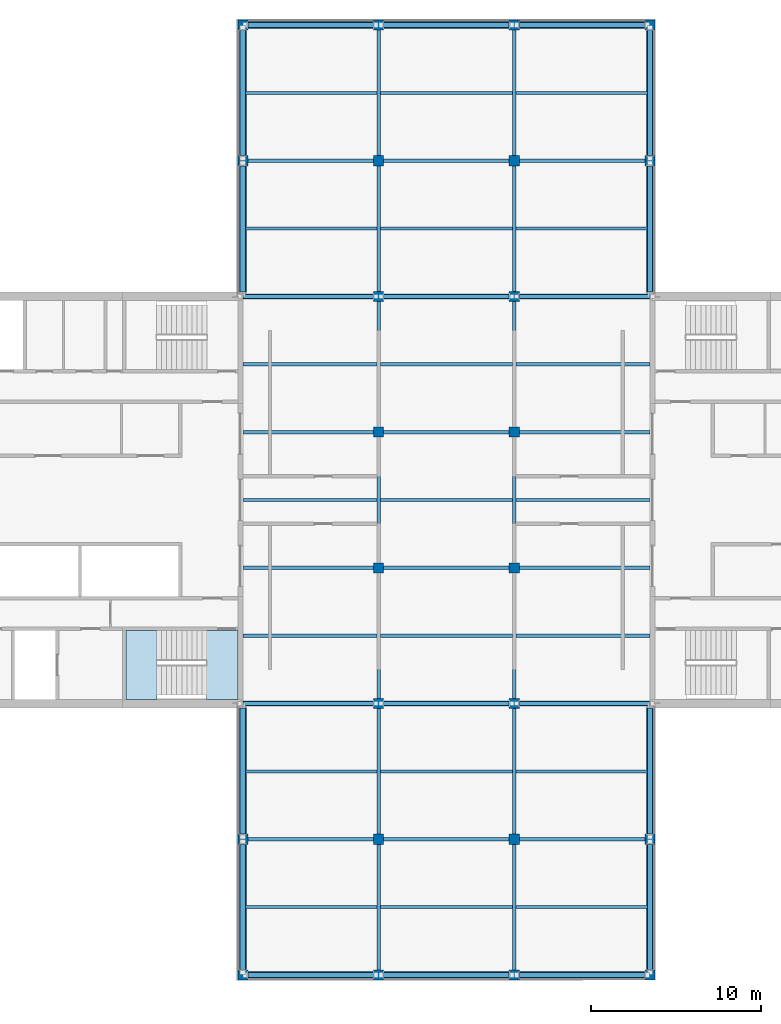
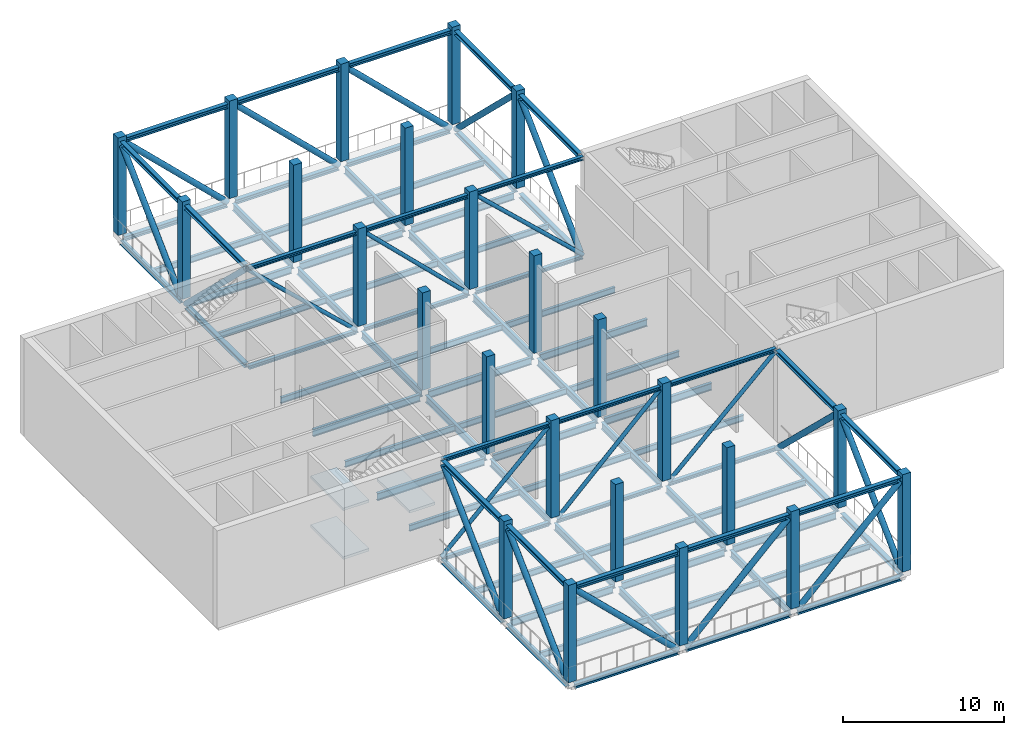
# One storey, part 1 of 9: 60 members, 47 beams, 24 columns, 3 slabs, 1 element without a shape of its own.
"""IFC4 building model written with IfcOpenShell, lengths in metres."""

from ifc_helpers import new_model, si_unit, direction, frame, origin, origin_2d, place, context, subcontext, project, spatial, polyline, rectangle, hollow_circle, i_section, outline, extrude, material, layer, layer_set, material_profile, profile_set, type_object, element, aggregate, save


model = new_model("IFC4")

# Units and contexts
model_context = context("Model", 3, precision=1e-05, world=origin(), true_north=direction((0.0, 1.0)))
body_context = subcontext(model_context, "Body", "Model", "MODEL_VIEW")
ifc_project = project(units=[si_unit("LENGTHUNIT", "METRE"), si_unit("AREAUNIT", "SQUARE_METRE"), si_unit("VOLUMEUNIT", "CUBIC_METRE"), si_unit("PLANEANGLEUNIT", "RADIAN"), si_unit("MASSUNIT", "GRAM", prefix="KILO")], contexts=[model_context])

# Site, building, storey
site_placement = place(None, origin())
site = spatial("IfcSite", under=ifc_project, at=site_placement, CompositionType="ELEMENT")
building_placement = place(site_placement, origin())
building = spatial("IfcBuilding", under=site, at=building_placement, Name="Crosswind Convention Tower", CompositionType="ELEMENT")
storey_placement = place(building_placement, frame((0.0, 0.0, 303.89990234375)))
storey = spatial("IfcBuildingStorey", under=building, at=storey_placement, Name="L66", CompositionType="ELEMENT", Elevation=303.89990234375)

# Columns
ifc_material_1 = material(Name="Concrete C60/75", Category="concrete")
ifc_material_profile_1 = material_profile(ifc_material_1, rectangle(XDim=0.60009765625, YDim=0.60009765625, at=origin_2d()), Name="RC 600X600")
ifc_profile_set_1 = profile_set([ifc_material_profile_1], Name="Concrete C60/75")
column_type = type_object("IfcColumnType", Name="Column RC 600X600", PredefinedType="COLUMN", material=ifc_profile_set_1)
for number, where, z_axis, x_axis, name in (
    (1, (113.0, 72.0, 0.0), (0.0, 0.0, 1.0), (1.0, 0.0, 0.0), "C16 L66 5/C"),
    (2, (113.0, 80.0, 0.0), (0.0, 0.0, 1.0), (1.0, 0.0, 0.0), "C16 L66 5/D"),
    (3, (113.0, 120.0, 0.0), (0.0, 0.0, 1.0), (1.0, 0.0, 0.0), "C16 L66 5/I"),
    (4, (113.0, 128.0, 0.0), (0.0, 0.0, 1.0), (1.0, 0.0, 0.0), "C16 L66 5/J"),
    (5, (121.0, 72.0, 0.0), (0.0, 0.0, 1.0), (1.0, 0.0, 0.0), "C16 L66 6/C"),
    (6, (121.0, 80.0, 0.0), (0.0, 0.0, 1.0), (1.0, 0.0, 0.0), "C16 L66 6/D"),
    (7, (121.0, 88.0, 0.0), (0.0, 0.0, 1.0), (1.0, 0.0, 0.0), "C16 L66 6/E"),
    (8, (121.0, 96.0, 0.0), (0.0, 0.0, 1.0), (1.0, 0.0, 0.0), "C16 L66 6/F"),
    (9, (121.0, 104.0, 0.0), (0.0, 0.0, 1.0), (1.0, 0.0, 0.0), "C16 L66 6/G"),
    (10, (121.0, 112.0, 0.0), (0.0, 0.0, 1.0), (1.0, 0.0, 0.0), "C16 L66 6/H"),
    (11, (121.0, 120.0, 0.0), (0.0, 0.0, 1.0), (1.0, 0.0, 0.0), "C16 L66 6/I"),
    (12, (121.0, 128.0, 0.0), (0.0, 0.0, 1.0), (1.0, 0.0, 0.0), "C16 L66 6/J"),
    (13, (129.0, 72.0, 0.0), (0.0, 0.0, 1.0), (1.0, 0.0, 0.0), "C16 L66 7/C"),
    (14, (129.0, 80.0, 0.0), (0.0, 0.0, 1.0), (1.0, 0.0, 0.0), "C16 L66 7/D"),
    (15, (129.0, 88.0, 0.0), (0.0, 0.0, 1.0), (1.0, 0.0, 0.0), "C16 L66 7/E"),
    (16, (129.0, 96.0, 0.0), (0.0, 0.0, 1.0), (1.0, 0.0, 0.0), "C16 L66 7/F"),
    (17, (129.0, 104.0, 0.0), (0.0, 0.0, 1.0), (1.0, 0.0, 0.0), "C16 L66 7/G"),
    (18, (129.0, 112.0, 0.0), (0.0, 0.0, 1.0), (1.0, 0.0, 0.0), "C16 L66 7/H"),
    (19, (129.0, 120.0, 0.0), (0.0, 0.0, 1.0), (1.0, 0.0, 0.0), "C16 L66 7/I"),
    (20, (129.0, 128.0, 0.0), (0.0, 0.0, 1.0), (1.0, 0.0, 0.0), "C16 L66 7/J"),
    (21, (137.0, 72.0, 0.0), (0.0, 0.0, 1.0), (1.0, 0.0, 0.0), "C16 L66 8/C"),
    (22, (137.0, 80.0, 0.0), (0.0, 0.0, 1.0), (1.0, 0.0, 0.0), "C16 L66 8/D"),
    (23, (137.0, 120.0, 0.0), (0.0, 0.0, 1.0), (1.0, 0.0, 0.0), "C16 L66 8/I"),
    (24, (137.0, 128.0, 0.0), (0.0, 0.0, 1.0), (1.0, 0.0, 0.0), "C16 L66 8/J"),
):
    element("IfcColumn", number, at=place(storey_placement, frame(where, z_axis=z_axis, x_axis=x_axis)), inside=storey, type_object=column_type, Name=name, PredefinedType="COLUMN", context=body_context, shape_type="SweptSolid", body=[
        extrude(rectangle(XDim=0.60009765625, YDim=0.60009765625, at=origin_2d()), origin(), (0.0, 0.0, 1.0), 7.400146484375),
    ])

# Beams
ifc_material_2 = material(Name="Steel S355", Category="steel")
ifc_material_profile_2 = material_profile(ifc_material_2, i_section(OverallWidth=0.210693359375, OverallDepth=0.53955078125, WebThickness=0.01171875, FlangeThickness=0.018798828125, FilletRadius=0.0126953125, at=origin_2d()), Name="UB 533x210x109")
ifc_profile_set_2 = profile_set([ifc_material_profile_2], Name="Steel S355")
beam_type_1 = type_object("IfcBeamType", Name="Girder UB 533x210x109", PredefinedType="BEAM", material=ifc_profile_set_2)
for number, where, z_axis, x_axis, name in (
    (25, (113.300048828125, 80.0, -0.669677734375), (1.0, 0.0, 0.0), (0.0, 1.0, 0.0), "B5 L66 girder 1"),
    (26, (113.300048828125, 120.0, -0.669677734375), (1.0, 0.0, 0.0), (0.0, 1.0, 0.0), "B5 L66 girder 2"),
    (27, (121.0, 72.300048828125, -0.669677734375), (0.0, 1.0, 0.0), (-1.0, 0.0, 0.0), "B5 L66 girder 3"),
    (28, (121.0, 80.300048828125, -0.669677734375), (0.0, 1.0, 0.0), (-1.0, 0.0, 0.0), "B5 L66 girder 4"),
    (29, (121.0, 88.300048828125, -0.669677734375), (0.0, 1.0, 0.0), (-1.0, 0.0, 0.0), "B5 L66 girder 5"),
    (30, (121.0, 96.300048828125, -0.669677734375), (0.0, 1.0, 0.0), (-1.0, 0.0, 0.0), "B5 L66 girder 6"),
    (31, (121.0, 104.300048828125, -0.669677734375), (0.0, 1.0, 0.0), (-1.0, 0.0, 0.0), "B5 L66 girder 7"),
    (32, (121.0, 112.300048828125, -0.669677734375), (0.0, 1.0, 0.0), (-1.0, 0.0, 0.0), "B5 L66 girder 8"),
    (33, (121.0, 120.300048828125, -0.669677734375), (0.0, 1.0, 0.0), (-1.0, 0.0, 0.0), "B5 L66 girder 9"),
    (34, (121.300048828125, 80.0, -0.669677734375), (1.0, 0.0, 0.0), (0.0, 1.0, 0.0), "B5 L66 girder 10"),
    (35, (121.300048828125, 96.0, -0.669677734375), (1.0, 0.0, 0.0), (0.0, 1.0, 0.0), "B5 L66 girder 11"),
    (36, (121.300048828125, 104.0, -0.669677734375), (1.0, 0.0, 0.0), (0.0, 1.0, 0.0), "B5 L66 girder 12"),
    (37, (121.300048828125, 120.0, -0.669677734375), (1.0, 0.0, 0.0), (0.0, 1.0, 0.0), "B5 L66 girder 13"),
    (38, (129.0, 72.300048828125, -0.669677734375), (0.0, 1.0, 0.0), (-1.0, 0.0, 0.0), "B5 L66 girder 14"),
    (39, (129.0, 80.300048828125, -0.669677734375), (0.0, 1.0, 0.0), (-1.0, 0.0, 0.0), "B5 L66 girder 15"),
    (40, (129.0, 88.300048828125, -0.669677734375), (0.0, 1.0, 0.0), (-1.0, 0.0, 0.0), "B5 L66 girder 16"),
    (41, (129.0, 96.300048828125, -0.669677734375), (0.0, 1.0, 0.0), (-1.0, 0.0, 0.0), "B5 L66 girder 17"),
    (42, (129.0, 104.300048828125, -0.669677734375), (0.0, 1.0, 0.0), (-1.0, 0.0, 0.0), "B5 L66 girder 18"),
    (43, (129.0, 112.300048828125, -0.669677734375), (0.0, 1.0, 0.0), (-1.0, 0.0, 0.0), "B5 L66 girder 19"),
    (44, (129.0, 120.300048828125, -0.669677734375), (0.0, 1.0, 0.0), (-1.0, 0.0, 0.0), "B5 L66 girder 20"),
    (45, (129.300048828125, 80.0, -0.669677734375), (1.0, 0.0, 0.0), (0.0, 1.0, 0.0), "B5 L66 girder 21"),
    (46, (129.300048828125, 120.0, -0.669677734375), (1.0, 0.0, 0.0), (0.0, 1.0, 0.0), "B5 L66 girder 22"),
):
    element("IfcBeam", number, at=place(storey_placement, frame(where, z_axis=z_axis, x_axis=x_axis)), inside=storey, type_object=beam_type_1, Name=name, PredefinedType="BEAM", context=body_context, shape_type="SweptSolid", body=[
        extrude(i_section(OverallWidth=0.210693359375, OverallDepth=0.53955078125, WebThickness=0.01171875, FlangeThickness=0.018798828125, FilletRadius=0.0126953125, at=origin_2d()), origin(), (0.0, 0.0, 1.0), 7.39990234375),
    ])
ifc_material_profile_3 = material_profile(ifc_material_2, i_section(OverallWidth=0.2119140625, OverallDepth=0.544677734375, WebThickness=0.0126953125, FlangeThickness=0.021240234375, FilletRadius=0.0126953125, at=origin_2d()), Name="UB 533x210x122")
ifc_profile_set_3 = profile_set([ifc_material_profile_3], Name="Steel S355")
beam_type_2 = type_object("IfcBeamType", Name="Girder at core wall UB 533x210x122", PredefinedType="BEAM", material=ifc_profile_set_3)
for number, where, z_axis, x_axis, name in (
    (47, (113.0, 96.0, -0.672119140625), (1.0, 0.0, 0.0), (0.0, 1.0, 0.0), "B26 L66 girder at core wall 1"),
    (48, (113.0, 104.0, -0.672119140625), (1.0, 0.0, 0.0), (0.0, 1.0, 0.0), "B26 L66 girder at core wall 2"),
    (49, (129.300048828125, 96.0, -0.672119140625), (1.0, 0.0, 0.0), (0.0, 1.0, 0.0), "B26 L66 girder at core wall 3"),
    (50, (129.300048828125, 104.0, -0.672119140625), (1.0, 0.0, 0.0), (0.0, 1.0, 0.0), "B26 L66 girder at core wall 4"),
):
    element("IfcBeam", number, at=place(storey_placement, frame(where, z_axis=z_axis, x_axis=x_axis)), inside=storey, type_object=beam_type_2, Name=name, PredefinedType="BEAM", context=body_context, shape_type="SweptSolid", body=[
        extrude(i_section(OverallWidth=0.2119140625, OverallDepth=0.544677734375, WebThickness=0.0126953125, FlangeThickness=0.021240234375, FilletRadius=0.0126953125, at=origin_2d()), origin(), (0.0, 0.0, 1.0), 7.699951171875),
    ])
ifc_material_profile_4 = material_profile(ifc_material_2, i_section(OverallWidth=0.1904296875, OverallDepth=0.457275390625, WebThickness=0.009033203125, FlangeThickness=0.014404296875, FilletRadius=0.01025390625, at=origin_2d()), Name="UB 457x191x75")
ifc_profile_set_4 = profile_set([ifc_material_profile_4], Name="Steel S355")
beam_type_3 = type_object("IfcBeamType", Name="Secondary beam UB 457x191x75", PredefinedType="JOIST", material=ifc_profile_set_4)
for number, where, z_axis, x_axis, name in (
    (51, (113.0, 92.0, -0.62841796875), (1.0, 0.0, 0.0), (0.0, 1.0, 0.0), "B12 L66 secondary beam 1"),
    (52, (113.0, 100.0, -0.62841796875), (1.0, 0.0, 0.0), (0.0, 1.0, 0.0), "B12 L66 secondary beam 2"),
    (53, (113.0, 108.0, -0.62841796875), (1.0, 0.0, 0.0), (0.0, 1.0, 0.0), "B12 L66 secondary beam 3"),
):
    element("IfcBeam", number, at=place(storey_placement, frame(where, z_axis=z_axis, x_axis=x_axis)), inside=storey, type_object=beam_type_3, Name=name, PredefinedType="JOIST", context=body_context, shape_type="SweptSolid", body=[
        extrude(i_section(OverallWidth=0.1904296875, OverallDepth=0.457275390625, WebThickness=0.009033203125, FlangeThickness=0.014404296875, FilletRadius=0.01025390625, at=origin_2d()), origin(), (0.0, 0.0, 1.0), 7.89453125),
    ])
for number, where, z_axis, x_axis, name in (
    (54, (113.1552734375, 76.0, -0.62841796875), (1.0, 0.0, 0.0), (0.0, 1.0, 0.0), "B12 L66 secondary beam 4"),
    (55, (113.1552734375, 84.0, -0.62841796875), (1.0, 0.0, 0.0), (0.0, 1.0, 0.0), "B12 L66 secondary beam 5"),
    (56, (113.1552734375, 116.0, -0.62841796875), (1.0, 0.0, 0.0), (0.0, 1.0, 0.0), "B12 L66 secondary beam 6"),
    (57, (113.1552734375, 124.0, -0.62841796875), (1.0, 0.0, 0.0), (0.0, 1.0, 0.0), "B12 L66 secondary beam 7"),
):
    element("IfcBeam", number, at=place(storey_placement, frame(where, z_axis=z_axis, x_axis=x_axis)), inside=storey, type_object=beam_type_3, Name=name, PredefinedType="JOIST", context=body_context, shape_type="SweptSolid", body=[
        extrude(i_section(OverallWidth=0.1904296875, OverallDepth=0.457275390625, WebThickness=0.009033203125, FlangeThickness=0.014404296875, FilletRadius=0.01025390625, at=origin_2d()), origin(), (0.0, 0.0, 1.0), 7.7392578125),
    ])
for number, where, z_axis, x_axis, name in (
    (58, (121.10546875, 76.0, -0.62841796875), (1.0, 0.0, 0.0), (0.0, 1.0, 0.0), "B12 L66 secondary beam 8"),
    (59, (121.10546875, 84.0, -0.62841796875), (1.0, 0.0, 0.0), (0.0, 1.0, 0.0), "B12 L66 secondary beam 9"),
    (60, (121.10546875, 92.0, -0.62841796875), (1.0, 0.0, 0.0), (0.0, 1.0, 0.0), "B12 L66 secondary beam 10"),
    (61, (121.10546875, 100.0, -0.62841796875), (1.0, 0.0, 0.0), (0.0, 1.0, 0.0), "B12 L66 secondary beam 11"),
    (62, (121.10546875, 108.0, -0.62841796875), (1.0, 0.0, 0.0), (0.0, 1.0, 0.0), "B12 L66 secondary beam 12"),
    (63, (121.10546875, 116.0, -0.62841796875), (1.0, 0.0, 0.0), (0.0, 1.0, 0.0), "B12 L66 secondary beam 13"),
    (64, (121.10546875, 124.0, -0.62841796875), (1.0, 0.0, 0.0), (0.0, 1.0, 0.0), "B12 L66 secondary beam 14"),
):
    element("IfcBeam", number, at=place(storey_placement, frame(where, z_axis=z_axis, x_axis=x_axis)), inside=storey, type_object=beam_type_3, Name=name, PredefinedType="JOIST", context=body_context, shape_type="SweptSolid", body=[
        extrude(i_section(OverallWidth=0.1904296875, OverallDepth=0.457275390625, WebThickness=0.009033203125, FlangeThickness=0.014404296875, FilletRadius=0.01025390625, at=origin_2d()), origin(), (0.0, 0.0, 1.0), 7.7890625),
    ])
for number, where, z_axis, x_axis, name in (
    (65, (129.10546875, 76.0, -0.62841796875), (1.0, 0.0, 0.0), (0.0, 1.0, 0.0), "B12 L66 secondary beam 15"),
    (66, (129.10546875, 84.0, -0.62841796875), (1.0, 0.0, 0.0), (0.0, 1.0, 0.0), "B12 L66 secondary beam 16"),
):
    element("IfcBeam", number, at=place(storey_placement, frame(where, z_axis=z_axis, x_axis=x_axis)), inside=storey, type_object=beam_type_3, Name=name, PredefinedType="JOIST", context=body_context, shape_type="SweptSolid", body=[
        extrude(i_section(OverallWidth=0.1904296875, OverallDepth=0.457275390625, WebThickness=0.009033203125, FlangeThickness=0.014404296875, FilletRadius=0.01025390625, at=origin_2d()), origin(), (0.0, 0.0, 1.0), 7.7392578125),
    ])
for number, where, z_axis, x_axis, name in (
    (67, (129.10546875, 92.0, -0.62841796875), (1.0, 0.0, 0.0), (0.0, 1.0, 0.0), "B12 L66 secondary beam 17"),
    (68, (129.10546875, 100.0, -0.62841796875), (1.0, 0.0, 0.0), (0.0, 1.0, 0.0), "B12 L66 secondary beam 18"),
    (69, (129.10546875, 108.0, -0.62841796875), (1.0, 0.0, 0.0), (0.0, 1.0, 0.0), "B12 L66 secondary beam 19"),
):
    element("IfcBeam", number, at=place(storey_placement, frame(where, z_axis=z_axis, x_axis=x_axis)), inside=storey, type_object=beam_type_3, Name=name, PredefinedType="JOIST", context=body_context, shape_type="SweptSolid", body=[
        extrude(i_section(OverallWidth=0.1904296875, OverallDepth=0.457275390625, WebThickness=0.009033203125, FlangeThickness=0.014404296875, FilletRadius=0.01025390625, at=origin_2d()), origin(), (0.0, 0.0, 1.0), 7.89453125),
    ])
for number, where, z_axis, x_axis, name in (
    (70, (129.10546875, 116.0, -0.62841796875), (1.0, 0.0, 0.0), (0.0, 1.0, 0.0), "B12 L66 secondary beam 20"),
    (71, (129.10546875, 124.0, -0.62841796875), (1.0, 0.0, 0.0), (0.0, 1.0, 0.0), "B12 L66 secondary beam 21"),
):
    element("IfcBeam", number, at=place(storey_placement, frame(where, z_axis=z_axis, x_axis=x_axis)), inside=storey, type_object=beam_type_3, Name=name, PredefinedType="JOIST", context=body_context, shape_type="SweptSolid", body=[
        extrude(i_section(OverallWidth=0.1904296875, OverallDepth=0.457275390625, WebThickness=0.009033203125, FlangeThickness=0.014404296875, FilletRadius=0.01025390625, at=origin_2d()), origin(), (0.0, 0.0, 1.0), 7.7392578125),
    ])

# Members
ifc_material_profile_5 = material_profile(ifc_material_2, i_section(OverallWidth=0.260986328125, OverallDepth=0.2763671875, WebThickness=0.015625, FlangeThickness=0.025146484375, FilletRadius=0.0126953125, at=origin_2d()), Name="UC 254x254x132")
ifc_profile_set_5 = profile_set([ifc_material_profile_5], Name="Steel S355")
member_type_1 = type_object("IfcMemberType", Name="Truss chord UC 254x254x132", PredefinedType="CHORD", material=ifc_profile_set_5)
for number, where, z_axis, x_axis, name in (
    (72, (113.0, 88.0, -0.5380859375), (1.0, 0.0, 0.0), (0.0, 1.0, 0.0), "M9 L66 bottom chord 15"),
    (73, (113.0, 88.0, 6.9619140625), (1.0, 0.0, 0.0), (0.0, 1.0, 0.0), "M9 L66 top chord 15"),
    (74, (113.0, 112.0, -0.5380859375), (1.0, 0.0, 0.0), (0.0, 1.0, 0.0), "M9 L66 bottom chord 16"),
    (75, (113.0, 112.0, 6.9619140625), (1.0, 0.0, 0.0), (0.0, 1.0, 0.0), "M9 L66 top chord 16"),
):
    element("IfcMember", number, at=place(storey_placement, frame(where, z_axis=z_axis, x_axis=x_axis)), inside=storey, type_object=member_type_1, Name=name, PredefinedType="CHORD", context=body_context, shape_type="SweptSolid", body=[
        extrude(i_section(OverallWidth=0.260986328125, OverallDepth=0.2763671875, WebThickness=0.015625, FlangeThickness=0.025146484375, FilletRadius=0.0126953125, at=origin_2d()), origin(), (0.0, 0.0, 1.0), 7.699951171875),
    ])
for number, where, z_axis, x_axis, name in (
    (76, (121.300048828125, 88.0, -0.5380859375), (1.0, 0.0, 0.0), (0.0, 1.0, 0.0), "M9 L66 bottom chord 17"),
    (77, (121.300048828125, 88.0, 6.9619140625), (1.0, 0.0, 0.0), (0.0, 1.0, 0.0), "M9 L66 top chord 17"),
    (78, (121.300048828125, 112.0, -0.5380859375), (1.0, 0.0, 0.0), (0.0, 1.0, 0.0), "M9 L66 bottom chord 18"),
    (79, (121.300048828125, 112.0, 6.9619140625), (1.0, 0.0, 0.0), (0.0, 1.0, 0.0), "M9 L66 top chord 18"),
):
    element("IfcMember", number, at=place(storey_placement, frame(where, z_axis=z_axis, x_axis=x_axis)), inside=storey, type_object=member_type_1, Name=name, PredefinedType="CHORD", context=body_context, shape_type="SweptSolid", body=[
        extrude(i_section(OverallWidth=0.260986328125, OverallDepth=0.2763671875, WebThickness=0.015625, FlangeThickness=0.025146484375, FilletRadius=0.0126953125, at=origin_2d()), origin(), (0.0, 0.0, 1.0), 7.39990234375),
    ])
for number, where, z_axis, x_axis, name in (
    (80, (129.300048828125, 88.0, -0.5380859375), (1.0, 0.0, 0.0), (0.0, 1.0, 0.0), "M9 L66 bottom chord 19"),
    (81, (129.300048828125, 88.0, 6.9619140625), (1.0, 0.0, 0.0), (0.0, 1.0, 0.0), "M9 L66 top chord 19"),
    (82, (129.300048828125, 112.0, -0.5380859375), (1.0, 0.0, 0.0), (0.0, 1.0, 0.0), "M9 L66 bottom chord 20"),
    (83, (129.300048828125, 112.0, 6.9619140625), (1.0, 0.0, 0.0), (0.0, 1.0, 0.0), "M9 L66 top chord 20"),
):
    element("IfcMember", number, at=place(storey_placement, frame(where, z_axis=z_axis, x_axis=x_axis)), inside=storey, type_object=member_type_1, Name=name, PredefinedType="CHORD", context=body_context, shape_type="SweptSolid", body=[
        extrude(i_section(OverallWidth=0.260986328125, OverallDepth=0.2763671875, WebThickness=0.015625, FlangeThickness=0.025146484375, FilletRadius=0.0126953125, at=origin_2d()), origin(), (0.0, 0.0, 1.0), 7.699951171875),
    ])
ifc_material_profile_6 = material_profile(ifc_material_2, i_section(OverallWidth=0.310546875, OverallDepth=0.3271484375, WebThickness=0.015625, FlangeThickness=0.02490234375, FilletRadius=0.01513671875, at=origin_2d()), Name="UC 305x305x158")
ifc_profile_set_6 = profile_set([ifc_material_profile_6], Name="Steel S355")
member_type_2 = type_object("IfcMemberType", Name="Truss chord UC 305x305x158", PredefinedType="CHORD", material=ifc_profile_set_6)
for number, where, z_axis, x_axis, name in (
    (84, (113.0, 72.300048828125, -0.5634765625), (0.0, 1.0, 0.0), (-1.0, 0.0, 0.0), "M7 L66 bottom chord 1"),
    (85, (113.0, 72.300048828125, 6.9365234375), (0.0, 1.0, 0.0), (-1.0, 0.0, 0.0), "M7 L66 top chord 1"),
    (86, (113.300048828125, 72.0, -0.5634765625), (1.0, 0.0, 0.0), (0.0, 1.0, 0.0), "M7 L66 bottom chord 2"),
    (87, (113.300048828125, 72.0, 6.9365234375), (1.0, 0.0, 0.0), (0.0, 1.0, 0.0), "M7 L66 top chord 2"),
):
    element("IfcMember", number, at=place(storey_placement, frame(where, z_axis=z_axis, x_axis=x_axis)), inside=storey, type_object=member_type_2, Name=name, PredefinedType="CHORD", context=body_context, shape_type="SweptSolid", body=[
        extrude(i_section(OverallWidth=0.310546875, OverallDepth=0.3271484375, WebThickness=0.015625, FlangeThickness=0.02490234375, FilletRadius=0.01513671875, at=origin_2d()), origin(), (0.0, 0.0, 1.0), 7.39990234375),
    ])
for number, where, z_axis, x_axis, name in (
    (88, (113.0, 80.300048828125, -0.5634765625), (0.0, 1.0, 0.0), (-1.0, 0.0, 0.0), "M7 L66 bottom chord 3"),
    (89, (113.0, 80.300048828125, 6.9365234375), (0.0, 1.0, 0.0), (-1.0, 0.0, 0.0), "M7 L66 top chord 3"),
    (90, (113.0, 112.25, -0.5634765625), (0.0, 1.0, 0.0), (-1.0, 0.0, 0.0), "M7 L66 bottom chord 4"),
    (91, (113.0, 112.25, 6.9365234375), (0.0, 1.0, 0.0), (-1.0, 0.0, 0.0), "M7 L66 top chord 4"),
):
    element("IfcMember", number, at=place(storey_placement, frame(where, z_axis=z_axis, x_axis=x_axis)), inside=storey, type_object=member_type_2, Name=name, PredefinedType="CHORD", context=body_context, shape_type="SweptSolid", body=[
        extrude(i_section(OverallWidth=0.310546875, OverallDepth=0.3271484375, WebThickness=0.015625, FlangeThickness=0.02490234375, FilletRadius=0.01513671875, at=origin_2d()), origin(), (0.0, 0.0, 1.0), 7.449951171875),
    ])
for number, where, z_axis, x_axis, name in (
    (92, (113.0, 120.300048828125, -0.5634765625), (0.0, 1.0, 0.0), (-1.0, 0.0, 0.0), "M7 L66 bottom chord 5"),
    (93, (113.0, 120.300048828125, 6.9365234375), (0.0, 1.0, 0.0), (-1.0, 0.0, 0.0), "M7 L66 top chord 5"),
    (94, (113.300048828125, 128.0, -0.5634765625), (1.0, 0.0, 0.0), (0.0, 1.0, 0.0), "M7 L66 bottom chord 6"),
    (95, (113.300048828125, 128.0, 6.9365234375), (1.0, 0.0, 0.0), (0.0, 1.0, 0.0), "M7 L66 top chord 6"),
    (96, (121.300048828125, 72.0, -0.5634765625), (1.0, 0.0, 0.0), (0.0, 1.0, 0.0), "M7 L66 bottom chord 7"),
    (97, (121.300048828125, 72.0, 6.9365234375), (1.0, 0.0, 0.0), (0.0, 1.0, 0.0), "M7 L66 top chord 7"),
    (98, (121.300048828125, 128.0, -0.5634765625), (1.0, 0.0, 0.0), (0.0, 1.0, 0.0), "M7 L66 bottom chord 8"),
    (99, (121.300048828125, 128.0, 6.9365234375), (1.0, 0.0, 0.0), (0.0, 1.0, 0.0), "M7 L66 top chord 8"),
    (100, (129.300048828125, 72.0, -0.5634765625), (1.0, 0.0, 0.0), (0.0, 1.0, 0.0), "M7 L66 bottom chord 9"),
    (101, (129.300048828125, 72.0, 6.9365234375), (1.0, 0.0, 0.0), (0.0, 1.0, 0.0), "M7 L66 top chord 9"),
    (102, (129.300048828125, 128.0, -0.5634765625), (1.0, 0.0, 0.0), (0.0, 1.0, 0.0), "M7 L66 bottom chord 10"),
    (103, (129.300048828125, 128.0, 6.9365234375), (1.0, 0.0, 0.0), (0.0, 1.0, 0.0), "M7 L66 top chord 10"),
    (104, (137.0, 72.300048828125, -0.5634765625), (0.0, 1.0, 0.0), (-1.0, 0.0, 0.0), "M7 L66 bottom chord 11"),
    (105, (137.0, 72.300048828125, 6.9365234375), (0.0, 1.0, 0.0), (-1.0, 0.0, 0.0), "M7 L66 top chord 11"),
):
    element("IfcMember", number, at=place(storey_placement, frame(where, z_axis=z_axis, x_axis=x_axis)), inside=storey, type_object=member_type_2, Name=name, PredefinedType="CHORD", context=body_context, shape_type="SweptSolid", body=[
        extrude(i_section(OverallWidth=0.310546875, OverallDepth=0.3271484375, WebThickness=0.015625, FlangeThickness=0.02490234375, FilletRadius=0.01513671875, at=origin_2d()), origin(), (0.0, 0.0, 1.0), 7.39990234375),
    ])
for number, where, z_axis, x_axis, name in (
    (106, (137.0, 80.300048828125, -0.5634765625), (0.0, 1.0, 0.0), (-1.0, 0.0, 0.0), "M7 L66 bottom chord 12"),
    (107, (137.0, 80.300048828125, 6.9365234375), (0.0, 1.0, 0.0), (-1.0, 0.0, 0.0), "M7 L66 top chord 12"),
    (108, (137.0, 112.25, -0.5634765625), (0.0, 1.0, 0.0), (-1.0, 0.0, 0.0), "M7 L66 bottom chord 13"),
    (109, (137.0, 112.25, 6.9365234375), (0.0, 1.0, 0.0), (-1.0, 0.0, 0.0), "M7 L66 top chord 13"),
):
    element("IfcMember", number, at=place(storey_placement, frame(where, z_axis=z_axis, x_axis=x_axis)), inside=storey, type_object=member_type_2, Name=name, PredefinedType="CHORD", context=body_context, shape_type="SweptSolid", body=[
        extrude(i_section(OverallWidth=0.310546875, OverallDepth=0.3271484375, WebThickness=0.015625, FlangeThickness=0.02490234375, FilletRadius=0.01513671875, at=origin_2d()), origin(), (0.0, 0.0, 1.0), 7.449951171875),
    ])
for number, where, z_axis, x_axis, name in (
    (110, (137.0, 120.300048828125, -0.5634765625), (0.0, 1.0, 0.0), (-1.0, 0.0, 0.0), "M7 L66 bottom chord 14"),
    (111, (137.0, 120.300048828125, 6.9365234375), (0.0, 1.0, 0.0), (-1.0, 0.0, 0.0), "M7 L66 top chord 14"),
):
    element("IfcMember", number, at=place(storey_placement, frame(where, z_axis=z_axis, x_axis=x_axis)), inside=storey, type_object=member_type_2, Name=name, PredefinedType="CHORD", context=body_context, shape_type="SweptSolid", body=[
        extrude(i_section(OverallWidth=0.310546875, OverallDepth=0.3271484375, WebThickness=0.015625, FlangeThickness=0.02490234375, FilletRadius=0.01513671875, at=origin_2d()), origin(), (0.0, 0.0, 1.0), 7.39990234375),
    ])
ifc_material_profile_7 = material_profile(ifc_material_2, hollow_circle(Radius=0.136474609375, WallThickness=0.011962890625, at=origin_2d()), Name="CHS 273.1x12.0")
ifc_profile_set_7 = profile_set([ifc_material_profile_7], Name="Steel S355")
member_type_3 = type_object("IfcMemberType", Name="Truss diagonal CHS 273.1x12.0", PredefinedType="BRACE", material=ifc_profile_set_7)
for number, where, z_axis, x_axis, name in (
    (112, (113.0, 88.0, -0.39990234375), (0.729304240363, 0.0, 0.684189538789), (0.0, 1.0, 0.0), "M10 L66 diagonal 15"),
    (113, (113.0, 112.0, 6.82373046875), (0.729304240363, 0.0, -0.684189538789), (0.0, 1.0, 0.0), "M10 L66 diagonal 16"),
):
    element("IfcMember", number, at=place(storey_placement, frame(where, z_axis=z_axis, x_axis=x_axis)), inside=storey, type_object=member_type_3, Name=name, PredefinedType="BRACE", context=body_context, shape_type="SweptSolid", body=[
        extrude(hollow_circle(Radius=0.136474609375, WallThickness=0.011962890625, at=origin_2d()), origin(), (0.0, 0.0, 1.0), 10.557861328125),
    ])
for number, where, z_axis, x_axis, name in (
    (114, (121.300048828125, 88.0, -0.39990234375), (0.715578139502, 0.0, 0.698532695202), (0.0, 1.0, 0.0), "M10 L66 diagonal 17"),
    (115, (121.300048828125, 112.0, 6.82373046875), (0.715578139502, 0.0, -0.698532695202), (0.0, 1.0, 0.0), "M10 L66 diagonal 18"),
):
    element("IfcMember", number, at=place(storey_placement, frame(where, z_axis=z_axis, x_axis=x_axis)), inside=storey, type_object=member_type_3, Name=name, PredefinedType="BRACE", context=body_context, shape_type="SweptSolid", body=[
        extrude(hollow_circle(Radius=0.136474609375, WallThickness=0.011962890625, at=origin_2d()), origin(), (0.0, 0.0, 1.0), 10.341064453125),
    ])
for number, where, z_axis, x_axis, name in (
    (116, (129.300048828125, 88.0, -0.39990234375), (0.729304240363, 0.0, 0.684189538789), (0.0, 1.0, 0.0), "M10 L66 diagonal 19"),
    (117, (129.300048828125, 112.0, 6.82373046875), (0.729304240363, 0.0, -0.684189538789), (0.0, 1.0, 0.0), "M10 L66 diagonal 20"),
):
    element("IfcMember", number, at=place(storey_placement, frame(where, z_axis=z_axis, x_axis=x_axis)), inside=storey, type_object=member_type_3, Name=name, PredefinedType="BRACE", context=body_context, shape_type="SweptSolid", body=[
        extrude(hollow_circle(Radius=0.136474609375, WallThickness=0.011962890625, at=origin_2d()), origin(), (0.0, 0.0, 1.0), 10.557861328125),
    ])
ifc_material_profile_8 = material_profile(ifc_material_2, hollow_circle(Radius=0.203125, WallThickness=0.011962890625, at=origin_2d()), Name="CHS 406.4x12.0")
ifc_profile_set_8 = profile_set([ifc_material_profile_8], Name="Steel S355")
member_type_4 = type_object("IfcMemberType", Name="Truss diagonal CHS 406.4x12.0", PredefinedType="BRACE", material=ifc_profile_set_8)
for number, where, z_axis, x_axis, name in (
    (118, (113.0, 72.300048828125, -0.39990234375), (0.0, 0.718036710738, 0.696005231326), (-1.0, 0.0, 0.0), "M8 L66 diagonal 1"),
    (119, (113.300048828125, 72.0, 6.77294921875), (0.718036710738, 0.0, -0.696005231326), (0.0, 1.0, 0.0), "M8 L66 diagonal 2"),
):
    element("IfcMember", number, at=place(storey_placement, frame(where, z_axis=z_axis, x_axis=x_axis)), inside=storey, type_object=member_type_4, Name=name, PredefinedType="BRACE", context=body_context, shape_type="SweptSolid", body=[
        extrude(hollow_circle(Radius=0.203125, WallThickness=0.011962890625, at=origin_2d()), origin(), (0.0, 0.0, 1.0), 10.3056640625),
    ])
for number, where, z_axis, x_axis, name in (
    (120, (113.0, 80.300048828125, -0.39990234375), (0.0, 0.720377003035, 0.693582708477), (-1.0, 0.0, 0.0), "M8 L66 diagonal 3"),
    (121, (113.0, 112.25, 6.77294921875), (0.0, 0.720377003035, -0.693582708477), (-1.0, 0.0, 0.0), "M8 L66 diagonal 4"),
):
    element("IfcMember", number, at=place(storey_placement, frame(where, z_axis=z_axis, x_axis=x_axis)), inside=storey, type_object=member_type_4, Name=name, PredefinedType="BRACE", context=body_context, shape_type="SweptSolid", body=[
        extrude(hollow_circle(Radius=0.203125, WallThickness=0.011962890625, at=origin_2d()), origin(), (0.0, 0.0, 1.0), 10.341796875),
    ])
for number, where, z_axis, x_axis, name in (
    (122, (113.0, 120.300048828125, -0.39990234375), (0.0, 0.718036710738, 0.696005231326), (-1.0, 0.0, 0.0), "M8 L66 diagonal 5"),
    (123, (113.300048828125, 128.0, 6.77294921875), (0.718036710738, 0.0, -0.696005231326), (0.0, 1.0, 0.0), "M8 L66 diagonal 6"),
    (124, (121.300048828125, 72.0, -0.39990234375), (0.718036710738, 0.0, 0.696005231326), (0.0, 1.0, 0.0), "M8 L66 diagonal 7"),
    (125, (121.300048828125, 128.0, 6.77294921875), (0.718036710738, 0.0, -0.696005231326), (0.0, 1.0, 0.0), "M8 L66 diagonal 8"),
    (126, (129.300048828125, 72.0, -0.39990234375), (0.718036710738, 0.0, 0.696005231326), (0.0, 1.0, 0.0), "M8 L66 diagonal 9"),
    (127, (129.300048828125, 128.0, 6.77294921875), (0.718036710738, 0.0, -0.696005231326), (0.0, 1.0, 0.0), "M8 L66 diagonal 10"),
    (128, (137.0, 72.300048828125, -0.39990234375), (0.0, 0.718036710738, 0.696005231326), (-1.0, 0.0, 0.0), "M8 L66 diagonal 11"),
):
    element("IfcMember", number, at=place(storey_placement, frame(where, z_axis=z_axis, x_axis=x_axis)), inside=storey, type_object=member_type_4, Name=name, PredefinedType="BRACE", context=body_context, shape_type="SweptSolid", body=[
        extrude(hollow_circle(Radius=0.203125, WallThickness=0.011962890625, at=origin_2d()), origin(), (0.0, 0.0, 1.0), 10.3056640625),
    ])
for number, where, z_axis, x_axis, name in (
    (129, (137.0, 80.300048828125, 6.77294921875), (0.0, 0.720377003035, -0.693582708477), (-1.0, 0.0, 0.0), "M8 L66 diagonal 12"),
    (130, (137.0, 112.25, -0.39990234375), (0.0, 0.720377003035, 0.693582708477), (-1.0, 0.0, 0.0), "M8 L66 diagonal 13"),
):
    element("IfcMember", number, at=place(storey_placement, frame(where, z_axis=z_axis, x_axis=x_axis)), inside=storey, type_object=member_type_4, Name=name, PredefinedType="BRACE", context=body_context, shape_type="SweptSolid", body=[
        extrude(hollow_circle(Radius=0.203125, WallThickness=0.011962890625, at=origin_2d()), origin(), (0.0, 0.0, 1.0), 10.341796875),
    ])
member_placement = place(storey_placement, frame((137.0, 120.300048828125, 6.77294921875), z_axis=(0.0, 0.718036710738, -0.696005231326), x_axis=(-1.0, 0.0, 0.0)))
element("IfcMember", 131, at=member_placement, inside=storey, type_object=member_type_4, Name="M8 L66 diagonal 14", PredefinedType="BRACE", context=body_context, shape_type="SweptSolid", body=[
    extrude(hollow_circle(Radius=0.203125, WallThickness=0.011962890625, at=origin_2d()), origin(), (0.0, 0.0, 1.0), 10.3056640625),
])

# Stair, slabs
ifc_material_3 = material(Name="Concrete C40/50", Category="concrete")
stair_type = type_object("IfcStairType", Name="Exit stair 1800 wide, 4 flights of 11 risers", PredefinedType="HALF_TURN_STAIR", material=ifc_material_3)
stair_placement = place(storey_placement, origin())
stair = element("IfcStair", 132, at=stair_placement, inside=storey, type_object=stair_type, Name="Exit stair ST3 L66", ObjectType="ST6", PredefinedType="HALF_TURN_STAIR")
ifc_layer = layer(ifc_material_3, 0.199951171875)
ifc_layer_set = layer_set([ifc_layer], Name="Concrete C40/50")
slab_type = type_object("IfcSlabType", Name="Stair landing 200", PredefinedType="LANDING", material=ifc_layer_set)
slab_1_placement = place(storey_placement, frame((0.0, 0.0, 1.650146484375)))
slab_1 = element("IfcSlab", 133, at=slab_1_placement, type_object=slab_type, Name="ST3 landing 1", PredefinedType="LANDING", context=body_context, shape_type="SweptSolid", body=[
    extrude(outline(polyline([(107.949951171875, 88.25), (107.949951171875, 92.300048828125), (106.10009765625, 92.300048828125), (106.10009765625, 88.25), (107.949951171875, 88.25)])), origin(), (0.0, 0.0, 1.0), 0.199951171875),
])
slab_2_placement = place(storey_placement, frame((0.0, 0.0, 3.5)))
slab_2 = element("IfcSlab", 134, at=slab_2_placement, type_object=slab_type, Name="ST3 landing 2", PredefinedType="LANDING", context=body_context, shape_type="SweptSolid", body=[
    extrude(outline(polyline([(112.699951171875, 88.25), (112.699951171875, 92.300048828125), (110.85009765625, 92.300048828125), (110.85009765625, 88.25), (112.699951171875, 88.25)])), origin(), (0.0, 0.0, 1.0), 0.2001953125),
])
slab_3_placement = place(storey_placement, frame((0.0, 0.0, 5.35009765625)))
slab_3 = element("IfcSlab", 135, at=slab_3_placement, type_object=slab_type, Name="ST3 landing 3", PredefinedType="LANDING", context=body_context, shape_type="SweptSolid", body=[
    extrude(outline(polyline([(107.949951171875, 88.25), (107.949951171875, 92.300048828125), (106.10009765625, 92.300048828125), (106.10009765625, 88.25), (107.949951171875, 88.25)])), origin(), (0.0, 0.0, 1.0), 0.199951171875),
])
aggregate(stair, [slab_1, slab_2, slab_3])

save(model, "model.ifc")
